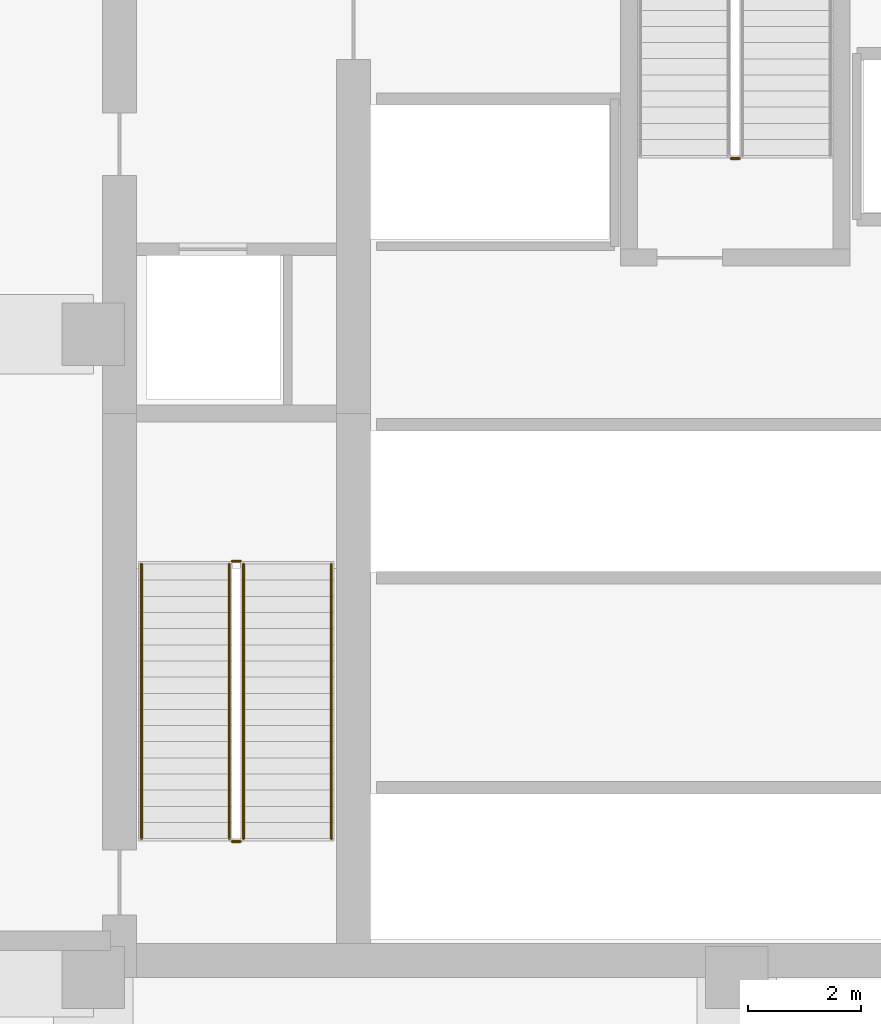
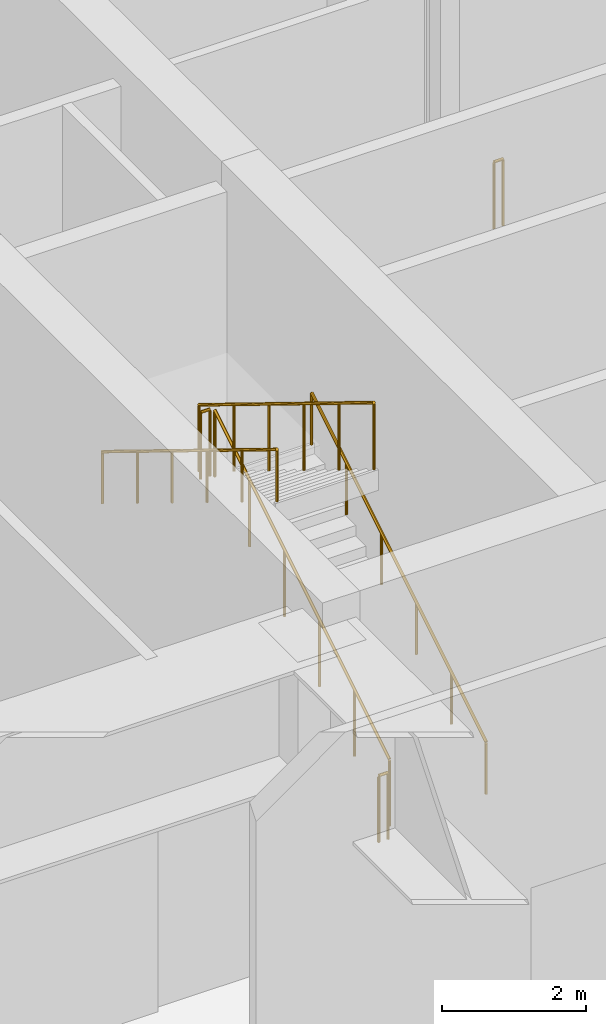
# One storey, part 8 of 12: 7 railings.
"""IFC4 building model written with IfcOpenShell, lengths in metres."""

from ifc_helpers import new_model, si_unit, direction, frame, origin, origin_2d, place, context, subcontext, project, spatial, circle, extrude, material, type_object, element, save


model = new_model("IFC4")

# Units and contexts
model_context = context("Model", 3, precision=1e-05, world=origin(), true_north=direction((0.0, 1.0)))
body_context = subcontext(model_context, "Body", "Model", "MODEL_VIEW")
ifc_project = project(units=[si_unit("LENGTHUNIT", "METRE"), si_unit("AREAUNIT", "SQUARE_METRE"), si_unit("VOLUMEUNIT", "CUBIC_METRE"), si_unit("PLANEANGLEUNIT", "RADIAN"), si_unit("MASSUNIT", "GRAM", prefix="KILO")], contexts=[model_context])

# Site, building, storey
site_placement = place(None, origin())
site = spatial("IfcSite", under=ifc_project, at=site_placement, CompositionType="ELEMENT")
building_placement = place(site_placement, origin())
building = spatial("IfcBuilding", under=site, at=building_placement, Name="Nhamokura Convention Tower", CompositionType="ELEMENT")
storey_placement = place(building_placement, frame((0.0, 0.0, 99.75)))
storey = spatial("IfcBuildingStorey", under=building, at=storey_placement, Name="L24", CompositionType="ELEMENT", Elevation=99.75)

# Railings
ifc_material_1 = material(Name="Anodised bronze stainless steel", Category="steel")
railing_type_1 = type_object("IfcRailingType", Name="StairWallHandrail_900", PredefinedType="HANDRAIL", material=ifc_material_1)
railing_1_placement = place(storey_placement, frame((24.85009765625, 23.10009765625, 0.175048828125)))
element("IfcRailing", 1, at=railing_1_placement, inside=storey, type_object=railing_type_1, Name="L24 ST-01 stair handrail 1", PredefinedType="HANDRAIL", context=body_context, shape_type="SweptSolid", body=[
    extrude(circle(Radius=0.02392578125, at=origin_2d()), frame((0.0, 0.0, 0.8759765625), z_axis=(0.0, 0.852181303558, 0.523246620502), x_axis=(-1.0, 0.0, 0.0)), (0.0, 0.0, 1.0), 5.685302734375),
    extrude(circle(Radius=0.02099609375, at=origin_2d()), origin(), (0.0, 0.0, 1.0), 0.851806640625),
    extrude(circle(Radius=0.02099609375, at=origin_2d()), frame((0.0, 0.968994140625, 0.594970703125)), (0.0, 0.0, 1.0), 0.851806640625),
    extrude(circle(Radius=0.02099609375, at=origin_2d()), frame((0.0, 1.93798828125, 1.18994140625)), (0.0, 0.0, 1.0), 0.851806640625),
    extrude(circle(Radius=0.02099609375, at=origin_2d()), frame((0.0, 2.906982421875, 1.784912109375)), (0.0, 0.0, 1.0), 0.851806640625),
    extrude(circle(Radius=0.02099609375, at=origin_2d()), frame((0.0, 3.8759765625, 2.3798828125)), (0.0, 0.0, 1.0), 0.851806640625),
    extrude(circle(Radius=0.02099609375, at=origin_2d()), frame((0.0, 4.844970703125, 2.974853515625)), (0.0, 0.0, 1.0), 0.851806640625),
])
railing_2_placement = place(storey_placement, frame((21.5, 27.945068359375, 3.324951171875)))
element("IfcRailing", 2, at=railing_2_placement, inside=storey, type_object=railing_type_1, Name="L24 ST-01 stair handrail 2", PredefinedType="HANDRAIL", context=body_context, shape_type="SweptSolid", body=[
    extrude(circle(Radius=0.02392578125, at=origin_2d()), frame((0.0, 0.0, 0.8759765625), z_axis=(0.0, -0.852162155598, 0.52327780439), x_axis=(1.0, 0.0, 0.0)), (0.0, 0.0, 1.0), 5.685546875),
    extrude(circle(Radius=0.02099609375, at=origin_2d()), origin(), (0.0, 0.0, 1.0), 0.851806640625),
    extrude(circle(Radius=0.02099609375, at=origin_2d()), frame((0.0, -0.968994140625, 0.594970703125)), (0.0, 0.0, 1.0), 0.851806640625),
    extrude(circle(Radius=0.02099609375, at=origin_2d()), frame((0.0, -1.93798828125, 1.18994140625)), (0.0, 0.0, 1.0), 0.851806640625),
    extrude(circle(Radius=0.02099609375, at=origin_2d()), frame((0.0, -2.906982421875, 1.78515625)), (0.0, 0.0, 1.0), 0.851806640625),
    extrude(circle(Radius=0.02099609375, at=origin_2d()), frame((0.0, -3.8759765625, 2.380126953125)), (0.0, 0.0, 1.0), 0.851806640625),
    extrude(circle(Radius=0.02099609375, at=origin_2d()), frame((0.0, -4.844970703125, 2.97509765625)), (0.0, 0.0, 1.0), 0.851806640625),
])
ifc_material_2 = material(Name="Painted tubular steel", Category="steel")
railing_type_2 = type_object("IfcRailingType", Name="StairWellGuardrail_1150", PredefinedType="GUARDRAIL", material=ifc_material_2)
railing_3_placement = place(storey_placement, frame((23.300048828125, 23.10009765625, 0.175048828125)))
element("IfcRailing", 3, at=railing_3_placement, inside=storey, type_object=railing_type_2, Name="L24 ST-01 stair guard 1", PredefinedType="GUARDRAIL", context=body_context, shape_type="SweptSolid", body=[
    extrude(circle(Radius=0.02392578125, at=origin_2d()), frame((0.0, 0.0, 1.1259765625), z_axis=(0.0, 0.852181303558, 0.523246620502), x_axis=(-1.0, 0.0, 0.0)), (0.0, 0.0, 1.0), 5.685302734375),
    extrude(circle(Radius=0.02099609375, at=origin_2d()), origin(), (0.0, 0.0, 1.0), 1.101806640625),
    extrude(circle(Radius=0.02099609375, at=origin_2d()), frame((0.0, 0.968994140625, 0.594970703125)), (0.0, 0.0, 1.0), 1.101806640625),
    extrude(circle(Radius=0.02099609375, at=origin_2d()), frame((0.0, 1.93798828125, 1.18994140625)), (0.0, 0.0, 1.0), 1.101806640625),
    extrude(circle(Radius=0.02099609375, at=origin_2d()), frame((0.0, 2.906982421875, 1.784912109375)), (0.0, 0.0, 1.0), 1.101806640625),
    extrude(circle(Radius=0.02099609375, at=origin_2d()), frame((0.0, 3.8759765625, 2.3798828125)), (0.0, 0.0, 1.0), 1.101806640625),
    extrude(circle(Radius=0.02099609375, at=origin_2d()), frame((0.0, 4.844970703125, 2.974853515625)), (0.0, 0.0, 1.0), 1.101806640625),
])
railing_4_placement = place(storey_placement, frame((23.25, 27.9951171875, 3.14990234375)))
element("IfcRailing", 4, at=railing_4_placement, inside=storey, type_object=railing_type_2, Name="L24 ST-01 stair guard 2", PredefinedType="GUARDRAIL", context=body_context, shape_type="SweptSolid", body=[
    extrude(circle(Radius=0.02392578125, at=origin_2d()), frame((0.0, 0.0, 1.1259765625), z_axis=(-1.0, 0.0, 0.0), x_axis=(0.0, -1.0, 0.0)), (0.0, 0.0, 1.0), 0.14990234375),
    extrude(circle(Radius=0.02099609375, at=origin_2d()), origin(), (0.0, 0.0, 1.0), 1.101806640625),
    extrude(circle(Radius=0.02099609375, at=origin_2d()), frame((-0.14990234375, 0.0, 0.0)), (0.0, 0.0, 1.0), 1.101806640625),
])
railing_5_placement = place(storey_placement, frame((23.050048828125, 27.945068359375, 3.324951171875)))
element("IfcRailing", 5, at=railing_5_placement, inside=storey, type_object=railing_type_2, Name="L24 ST-01 stair guard 3", PredefinedType="GUARDRAIL", context=body_context, shape_type="SweptSolid", body=[
    extrude(circle(Radius=0.02392578125, at=origin_2d()), frame((0.0, 0.0, 1.1259765625), z_axis=(0.0, -0.852162155598, 0.52327780439), x_axis=(1.0, 0.0, 0.0)), (0.0, 0.0, 1.0), 5.685546875),
    extrude(circle(Radius=0.02099609375, at=origin_2d()), origin(), (0.0, 0.0, 1.0), 1.101806640625),
    extrude(circle(Radius=0.02099609375, at=origin_2d()), frame((0.0, -0.968994140625, 0.594970703125)), (0.0, 0.0, 1.0), 1.101806640625),
    extrude(circle(Radius=0.02099609375, at=origin_2d()), frame((0.0, -1.93798828125, 1.18994140625)), (0.0, 0.0, 1.0), 1.101806640625),
    extrude(circle(Radius=0.02099609375, at=origin_2d()), frame((0.0, -2.906982421875, 1.78515625)), (0.0, 0.0, 1.0), 1.101806640625),
    extrude(circle(Radius=0.02099609375, at=origin_2d()), frame((0.0, -3.8759765625, 2.380126953125)), (0.0, 0.0, 1.0), 1.101806640625),
    extrude(circle(Radius=0.02099609375, at=origin_2d()), frame((0.0, -4.844970703125, 2.97509765625)), (0.0, 0.0, 1.0), 1.101806640625),
])
railing_6_placement = place(storey_placement, frame((23.25, 23.050048828125, 0.0)))
element("IfcRailing", 6, at=railing_6_placement, inside=storey, type_object=railing_type_2, Name="L24 ST-01 stair guard 4", PredefinedType="GUARDRAIL", context=body_context, shape_type="SweptSolid", body=[
    extrude(circle(Radius=0.02392578125, at=origin_2d()), frame((0.0, 0.0, 1.1259765625), z_axis=(-1.0, 0.0, 0.0), x_axis=(0.0, -1.0, 0.0)), (0.0, 0.0, 1.0), 0.14990234375),
    extrude(circle(Radius=0.02099609375, at=origin_2d()), origin(), (0.0, 0.0, 1.0), 1.101806640625),
    extrude(circle(Radius=0.02099609375, at=origin_2d()), frame((-0.14990234375, 0.0, 0.0)), (0.0, 0.0, 1.0), 1.101806640625),
])
railing_7_placement = place(storey_placement, frame((32.050048828125, 35.10009765625, 0.0)))
element("IfcRailing", 7, at=railing_7_placement, inside=storey, type_object=railing_type_2, Name="L24 ST-03 stair guard 4", PredefinedType="GUARDRAIL", context=body_context, shape_type="SweptSolid", body=[
    extrude(circle(Radius=0.02392578125, at=origin_2d()), frame((0.0, 0.0, 1.1259765625), z_axis=(-1.0, 0.0, 0.0), x_axis=(0.0, -1.0, 0.0)), (0.0, 0.0, 1.0), 0.150146484375),
    extrude(circle(Radius=0.02099609375, at=origin_2d()), origin(), (0.0, 0.0, 1.0), 1.101806640625),
    extrude(circle(Radius=0.02099609375, at=origin_2d()), frame((-0.150146484375, 0.0, 0.0)), (0.0, 0.0, 1.0), 1.101806640625),
])

save(model, "model.ifc")
